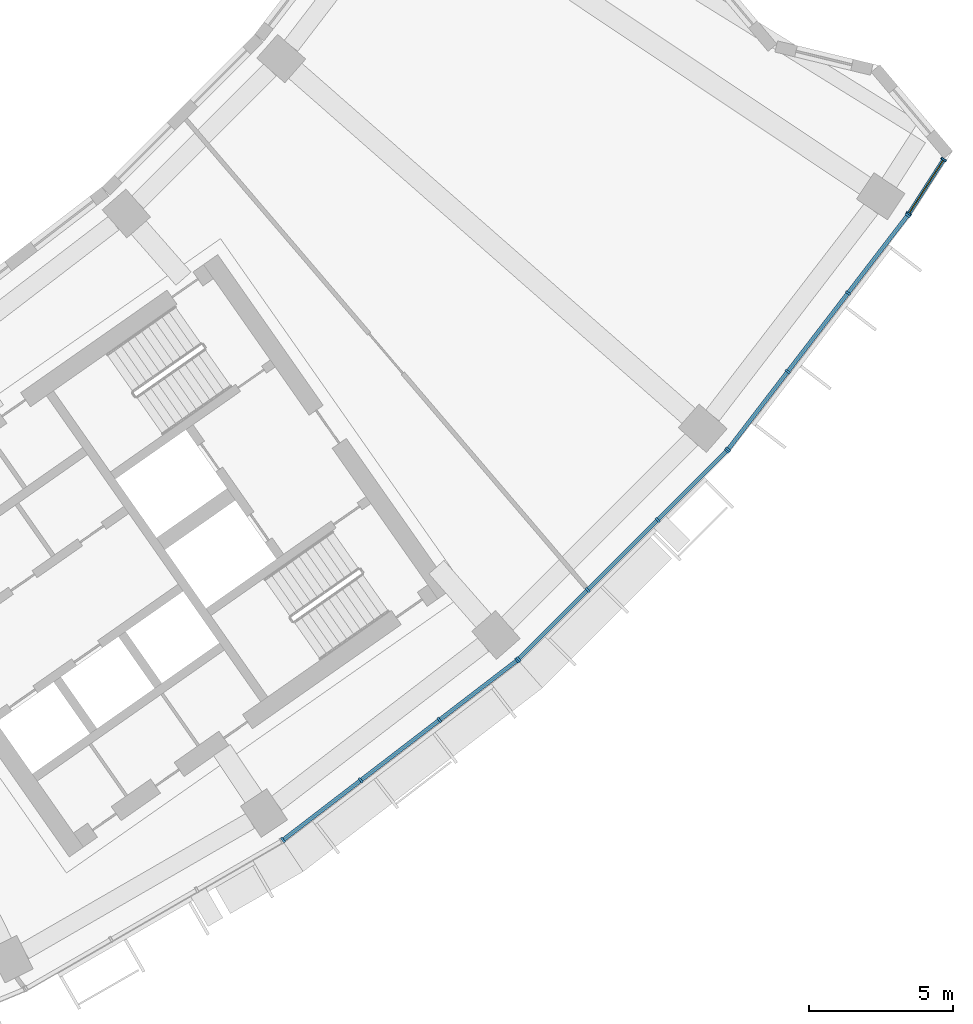
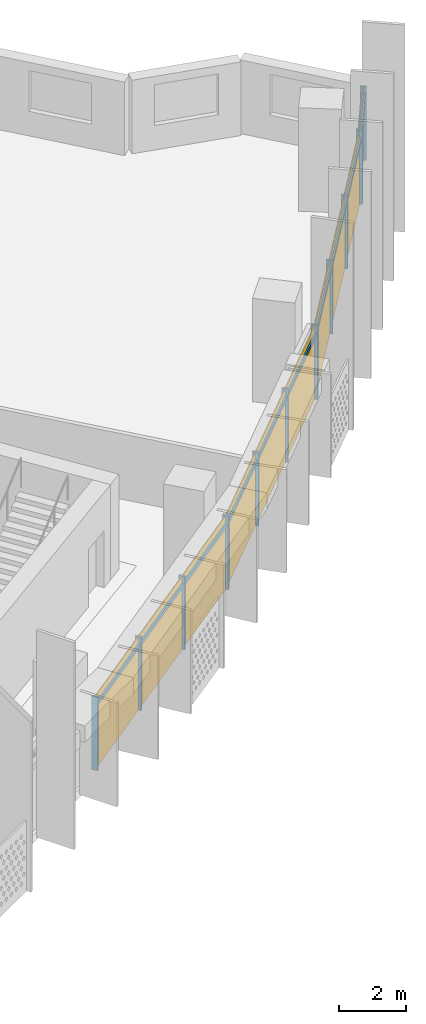
# One storey, part 20 of 27: 24 members, 4 curtain walls.
"""IFC4 building model written with IfcOpenShell, lengths in metres."""

from ifc_helpers import new_model, si_unit, direction, frame, origin, origin_2d, place, context, subcontext, project, spatial, rectangle, extrude, material, material_profile, profile_set, type_object, element, aggregate, save


model = new_model("IFC4")

# Units and contexts
model_context = context("Model", 3, precision=1e-05, world=origin(), true_north=direction((0.0, 1.0)))
body_context = subcontext(model_context, "Body", "Model", "MODEL_VIEW")
ifc_project = project(units=[si_unit("LENGTHUNIT", "METRE"), si_unit("AREAUNIT", "SQUARE_METRE"), si_unit("VOLUMEUNIT", "CUBIC_METRE"), si_unit("PLANEANGLEUNIT", "RADIAN"), si_unit("MASSUNIT", "GRAM", prefix="KILO")], contexts=[model_context])

# Member
ifc_material = material(Name="Aluminium 6063-T6 anodised", Category="aluminium")
ifc_material_profile_1 = material_profile(ifc_material, rectangle(XDim=0.199951171875, YDim=0.070068359375, at=origin_2d()))
ifc_profile_set_1 = profile_set([ifc_material_profile_1], Name="Aluminium 6063-T6 anodised")
member_type_1 = type_object("IfcMemberType", Name="Mullion 70 x 200 aluminium", PredefinedType="MULLION", material=ifc_profile_set_1)
site_placement = place(None, origin())
building_placement = place(site_placement, origin())
storey_placement = place(building_placement, frame((0.0, 0.0, 172.10009765625)))
member_1_placement = place(storey_placement, frame((43.85693359375, -65.58544921875, 0.0), z_axis=(0.0, 0.0, 1.0), x_axis=(-0.608761429009, 0.793353340291, 0.0)))
member_1 = element("IfcMember", 1, at=member_1_placement, type_object=member_type_1, Name="e-cw1-L40-out12/M00", PredefinedType="MULLION", context=body_context, shape_type="SweptSolid", body=[
    extrude(rectangle(XDim=0.199951171875, YDim=0.070068359375, at=origin_2d()), origin(), (0.0, 0.0, 1.0), 2.699951171875),
])

member_2_placement = place(storey_placement, frame((46.56201171875, -63.509765625, 0.0), z_axis=(0.0, 0.0, 1.0), x_axis=(-0.608761429009, 0.793353340291, 0.0)))
member_2 = element("IfcMember", 2, at=member_2_placement, type_object=member_type_1, Name="e-cw1-L40-out12/M01", PredefinedType="MULLION", context=body_context, shape_type="SweptSolid", body=[
    extrude(rectangle(XDim=0.199951171875, YDim=0.070068359375, at=origin_2d()), origin(), (0.0, 0.0, 1.0), 2.699951171875),
])

member_3_placement = place(storey_placement, frame((49.294677734375, -61.412841796875, 0.0), z_axis=(0.0, 0.0, 1.0), x_axis=(-0.608761429009, 0.793353340291, 0.0)))
member_3 = element("IfcMember", 3, at=member_3_placement, type_object=member_type_1, Name="e-cw1-L40-out12/M02", PredefinedType="MULLION", context=body_context, shape_type="SweptSolid", body=[
    extrude(rectangle(XDim=0.199951171875, YDim=0.070068359375, at=origin_2d()), origin(), (0.0, 0.0, 1.0), 2.699951171875),
])

member_4_placement = place(storey_placement, frame((51.999755859375, -59.33740234375, 0.0), z_axis=(0.0, 0.0, 1.0), x_axis=(-0.608761429009, 0.793353340291, 0.0)))
member_4 = element("IfcMember", 4, at=member_4_placement, type_object=member_type_1, Name="e-cw1-L40-out12/M03", PredefinedType="MULLION", context=body_context, shape_type="SweptSolid", body=[
    extrude(rectangle(XDim=0.199951171875, YDim=0.070068359375, at=origin_2d()), origin(), (0.0, 0.0, 1.0), 2.699951171875),
])

member_5_placement = place(storey_placement, frame((52.042236328125, -59.2998046875, 0.0), z_axis=(0.0, 0.0, 1.0), x_axis=(-0.707106781187, 0.707106781187, 0.0)))
member_5 = element("IfcMember", 5, at=member_5_placement, type_object=member_type_1, Name="e-cw1-L40-out13/M00", PredefinedType="MULLION", context=body_context, shape_type="SweptSolid", body=[
    extrude(rectangle(XDim=0.199951171875, YDim=0.070068359375, at=origin_2d()), origin(), (0.0, 0.0, 1.0), 2.699951171875),
])

member_6_placement = place(storey_placement, frame((54.453369140625, -56.888916015625, 0.0), z_axis=(0.0, 0.0, 1.0), x_axis=(-0.707106781187, 0.707106781187, 0.0)))
member_6 = element("IfcMember", 6, at=member_6_placement, type_object=member_type_1, Name="e-cw1-L40-out13/M01", PredefinedType="MULLION", context=body_context, shape_type="SweptSolid", body=[
    extrude(rectangle(XDim=0.199951171875, YDim=0.070068359375, at=origin_2d()), origin(), (0.0, 0.0, 1.0), 2.699951171875),
])

member_7_placement = place(storey_placement, frame((56.888916015625, -54.453369140625, 0.0), z_axis=(0.0, 0.0, 1.0), x_axis=(-0.707106781187, 0.707106781187, 0.0)))
member_7 = element("IfcMember", 7, at=member_7_placement, type_object=member_type_1, Name="e-cw1-L40-out13/M02", PredefinedType="MULLION", context=body_context, shape_type="SweptSolid", body=[
    extrude(rectangle(XDim=0.199951171875, YDim=0.070068359375, at=origin_2d()), origin(), (0.0, 0.0, 1.0), 2.699951171875),
])

member_8_placement = place(storey_placement, frame((59.2998046875, -52.042236328125, 0.0), z_axis=(0.0, 0.0, 1.0), x_axis=(-0.707106781187, 0.707106781187, 0.0)))
member_8 = element("IfcMember", 8, at=member_8_placement, type_object=member_type_1, Name="e-cw1-L40-out13/M03", PredefinedType="MULLION", context=body_context, shape_type="SweptSolid", body=[
    extrude(rectangle(XDim=0.199951171875, YDim=0.070068359375, at=origin_2d()), origin(), (0.0, 0.0, 1.0), 2.699951171875),
])

member_9_placement = place(storey_placement, frame((59.33740234375, -51.999755859375, 0.0), z_axis=(0.0, 0.0, 1.0), x_axis=(-0.793353340291, 0.608761429009, 0.0)))
member_9 = element("IfcMember", 9, at=member_9_placement, type_object=member_type_1, Name="e-cw1-L40-out14/M00", PredefinedType="MULLION", context=body_context, shape_type="SweptSolid", body=[
    extrude(rectangle(XDim=0.199951171875, YDim=0.070068359375, at=origin_2d()), origin(), (0.0, 0.0, 1.0), 2.699951171875),
])

member_10_placement = place(storey_placement, frame((61.412841796875, -49.294677734375, 0.0), z_axis=(0.0, 0.0, 1.0), x_axis=(-0.793353340291, 0.608761429009, 0.0)))
member_10 = element("IfcMember", 10, at=member_10_placement, type_object=member_type_1, Name="e-cw1-L40-out14/M01", PredefinedType="MULLION", context=body_context, shape_type="SweptSolid", body=[
    extrude(rectangle(XDim=0.199951171875, YDim=0.070068359375, at=origin_2d()), origin(), (0.0, 0.0, 1.0), 2.699951171875),
])

member_11_placement = place(storey_placement, frame((63.509765625, -46.56201171875, 0.0), z_axis=(0.0, 0.0, 1.0), x_axis=(-0.793353340291, 0.608761429009, 0.0)))
member_11 = element("IfcMember", 11, at=member_11_placement, type_object=member_type_1, Name="e-cw1-L40-out14/M02", PredefinedType="MULLION", context=body_context, shape_type="SweptSolid", body=[
    extrude(rectangle(XDim=0.199951171875, YDim=0.070068359375, at=origin_2d()), origin(), (0.0, 0.0, 1.0), 2.699951171875),
])

member_12_placement = place(storey_placement, frame((65.58544921875, -43.85693359375, 0.0), z_axis=(0.0, 0.0, 1.0), x_axis=(-0.793353340291, 0.608761429009, 0.0)))
member_12 = element("IfcMember", 12, at=member_12_placement, type_object=member_type_1, Name="e-cw1-L40-out14/M03", PredefinedType="MULLION", context=body_context, shape_type="SweptSolid", body=[
    extrude(rectangle(XDim=0.199951171875, YDim=0.070068359375, at=origin_2d()), origin(), (0.0, 0.0, 1.0), 2.699951171875),
])

member_13_placement = place(storey_placement, frame((65.620849609375, -43.806396484375, 0.0), z_axis=(0.0, 0.0, 1.0), x_axis=(-0.840842221196, 0.5412802962, 0.0)))
member_13 = element("IfcMember", 13, at=member_13_placement, type_object=member_type_1, Name="e-cw1-L40-out15/M00", PredefinedType="MULLION", context=body_context, shape_type="SweptSolid", body=[
    extrude(rectangle(XDim=0.199951171875, YDim=0.070068359375, at=origin_2d()), origin(), (0.0, 0.0, 1.0), 2.699951171875),
])

member_14_placement = place(storey_placement, frame((66.836181640625, -41.918701171875, 0.0), z_axis=(0.0, 0.0, 1.0), x_axis=(-0.840842221196, 0.5412802962, 0.0)))
member_14 = element("IfcMember", 14, at=member_14_placement, type_object=member_type_1, Name="e-cw1-L40-out15/M01", PredefinedType="MULLION", context=body_context, shape_type="SweptSolid", body=[
    extrude(rectangle(XDim=0.199951171875, YDim=0.070068359375, at=origin_2d()), origin(), (0.0, 0.0, 1.0), 2.699951171875),
])

ifc_material_profile_2 = material_profile(ifc_material, rectangle(XDim=0.139892578125, YDim=0.1201171875, at=origin_2d()))
ifc_profile_set_2 = profile_set([ifc_material_profile_2], Name="Aluminium 6063-T6 anodised")
member_type_2 = type_object("IfcMemberType", Name="Transom 120 x 140 aluminium", PredefinedType="USERDEFINED", material=ifc_profile_set_2)
member_15_placement = place(storey_placement, frame((43.884765625, -65.564208984375, 2.39990234375), z_axis=(0.793354486861, 0.608759934767, 0.0), x_axis=(-0.608759934767, 0.793354486861, 0.0)))
member_15 = element("IfcMember", 15, at=member_15_placement, type_object=member_type_2, Name="e-cw1-L40-out12/T00", ObjectType="TRANSOM", PredefinedType="USERDEFINED", context=body_context, shape_type="SweptSolid", body=[
    extrude(rectangle(XDim=0.139892578125, YDim=0.1201171875, at=origin_2d()), origin(), (0.0, 0.0, 1.0), 3.339599609375),
])

member_16_placement = place(storey_placement, frame((46.589599609375, -63.488525390625, 2.39990234375), z_axis=(0.793371081522, 0.608738307489, 0.0), x_axis=(-0.608738307489, 0.793371081522, 0.0)))
member_16 = element("IfcMember", 16, at=member_16_placement, type_object=member_type_2, Name="e-cw1-L40-out12/T01", ObjectType="TRANSOM", PredefinedType="USERDEFINED", context=body_context, shape_type="SweptSolid", body=[
    extrude(rectangle(XDim=0.139892578125, YDim=0.1201171875, at=origin_2d()), origin(), (0.0, 0.0, 1.0), 3.37451171875),
])

member_17_placement = place(storey_placement, frame((49.322509765625, -61.3916015625, 2.39990234375), z_axis=(0.793354486861, 0.608759934767, 0.0), x_axis=(-0.608759934767, 0.793354486861, 0.0)))
member_17 = element("IfcMember", 17, at=member_17_placement, type_object=member_type_2, Name="e-cw1-L40-out12/T02", ObjectType="TRANSOM", PredefinedType="USERDEFINED", context=body_context, shape_type="SweptSolid", body=[
    extrude(rectangle(XDim=0.139892578125, YDim=0.1201171875, at=origin_2d()), origin(), (0.0, 0.0, 1.0), 3.339599609375),
])

member_18_placement = place(storey_placement, frame((52.067138671875, -59.275146484375, 2.39990234375), z_axis=(0.707106781187, 0.707106781187, 0.0), x_axis=(-0.707106781187, 0.707106781187, 0.0)))
member_18 = element("IfcMember", 18, at=member_18_placement, type_object=member_type_2, Name="e-cw1-L40-out13/T00", ObjectType="TRANSOM", PredefinedType="USERDEFINED", context=body_context, shape_type="SweptSolid", body=[
    extrude(rectangle(XDim=0.139892578125, YDim=0.1201171875, at=origin_2d()), origin(), (0.0, 0.0, 1.0), 3.33935546875),
])

member_19_placement = place(storey_placement, frame((54.47802734375, -56.8642578125, 2.39990234375), z_axis=(0.707106781187, 0.707106781187, 0.0), x_axis=(-0.707106781187, 0.707106781187, 0.0)))
member_19 = element("IfcMember", 19, at=member_19_placement, type_object=member_type_2, Name="e-cw1-L40-out13/T01", ObjectType="TRANSOM", PredefinedType="USERDEFINED", context=body_context, shape_type="SweptSolid", body=[
    extrude(rectangle(XDim=0.139892578125, YDim=0.1201171875, at=origin_2d()), origin(), (0.0, 0.0, 1.0), 3.374755859375),
])

member_20_placement = place(storey_placement, frame((56.913818359375, -54.428466796875, 2.39990234375), z_axis=(0.707106781187, 0.707106781187, 0.0), x_axis=(-0.707106781187, 0.707106781187, 0.0)))
member_20 = element("IfcMember", 20, at=member_20_placement, type_object=member_type_2, Name="e-cw1-L40-out13/T02", ObjectType="TRANSOM", PredefinedType="USERDEFINED", context=body_context, shape_type="SweptSolid", body=[
    extrude(rectangle(XDim=0.139892578125, YDim=0.1201171875, at=origin_2d()), origin(), (0.0, 0.0, 1.0), 3.33935546875),
])

member_21_placement = place(storey_placement, frame((59.358642578125, -51.971923828125, 2.39990234375), z_axis=(0.608759934767, 0.793354486861, 0.0), x_axis=(-0.793354486861, 0.608759934767, 0.0)))
member_21 = element("IfcMember", 21, at=member_21_placement, type_object=member_type_2, Name="e-cw1-L40-out14/T00", ObjectType="TRANSOM", PredefinedType="USERDEFINED", context=body_context, shape_type="SweptSolid", body=[
    extrude(rectangle(XDim=0.139892578125, YDim=0.1201171875, at=origin_2d()), origin(), (0.0, 0.0, 1.0), 3.339599609375),
])

member_22_placement = place(storey_placement, frame((61.434326171875, -49.266845703125, 2.39990234375), z_axis=(0.608738307489, 0.793371081522, 0.0), x_axis=(-0.793371081522, 0.608738307489, 0.0)))
member_22 = element("IfcMember", 22, at=member_22_placement, type_object=member_type_2, Name="e-cw1-L40-out14/T01", ObjectType="TRANSOM", PredefinedType="USERDEFINED", context=body_context, shape_type="SweptSolid", body=[
    extrude(rectangle(XDim=0.139892578125, YDim=0.1201171875, at=origin_2d()), origin(), (0.0, 0.0, 1.0), 3.37451171875),
])

member_23_placement = place(storey_placement, frame((63.53125, -46.5341796875, 2.39990234375), z_axis=(0.608759934767, 0.793354486861, 0.0), x_axis=(-0.793354486861, 0.608759934767, 0.0)))
member_23 = element("IfcMember", 23, at=member_23_placement, type_object=member_type_2, Name="e-cw1-L40-out14/T02", ObjectType="TRANSOM", PredefinedType="USERDEFINED", context=body_context, shape_type="SweptSolid", body=[
    extrude(rectangle(XDim=0.139892578125, YDim=0.1201171875, at=origin_2d()), origin(), (0.0, 0.0, 1.0), 3.339599609375),
])

member_24_placement = place(storey_placement, frame((65.639892578125, -43.777099609375, 2.39990234375), z_axis=(0.541262409665, 0.840853735131, 0.0), x_axis=(-0.840853735131, 0.541262409665, 0.0)))
member_24 = element("IfcMember", 24, at=member_24_placement, type_object=member_type_2, Name="e-cw1-L40-out15/T00", ObjectType="TRANSOM", PredefinedType="USERDEFINED", context=body_context, shape_type="SweptSolid", body=[
    extrude(rectangle(XDim=0.139892578125, YDim=0.1201171875, at=origin_2d()), origin(), (0.0, 0.0, 1.0), 2.175048828125),
])

# Site, building, storey
site = spatial("IfcSite", under=ifc_project, at=site_placement, CompositionType="ELEMENT")
building = spatial("IfcBuilding", under=site, at=building_placement, Name="Qamariyya Broadcast Tower", CompositionType="ELEMENT")
storey = spatial("IfcBuildingStorey", under=building, at=storey_placement, Name="L40", CompositionType="ELEMENT", Elevation=172.10009765625)

# Curtain wall
curtain_wall_type = type_object("IfcCurtainWallType", Name="Unitised curtain wall, anodised aluminium", PredefinedType="NOTDEFINED", material=ifc_material)
curtain_wall_1_placement = place(storey_placement, origin())
curtain_wall_1 = element("IfcCurtainWall", 25, at=curtain_wall_1_placement, inside=storey, type_object=curtain_wall_type, Name="e-cw1-L40-out12", PredefinedType="NOTDEFINED", context=body_context, shape_type="SweptSolid", body=[
    extrude(rectangle(XDim=3.339599609375, YDim=0.031982421875, at=origin_2d()), frame((45.20947265625, -64.547607421875, 0.0), x_axis=(0.793351517557, 0.608763804434, 0.0)), (0.0, 0.0, 1.0), 2.340087890625),
    extrude(rectangle(XDim=3.339599609375, YDim=0.031982421875, at=origin_2d()), frame((45.20947265625, -64.547607421875, 2.4599609375), x_axis=(0.793351517557, 0.608763804434, 0.0)), (0.0, 0.0, 1.0), 0.239990234375),
    extrude(rectangle(XDim=3.37451171875, YDim=0.031982421875, at=origin_2d()), frame((47.92822265625, -62.46142578125, 0.0), x_axis=(0.793351517557, 0.608763804434, 0.0)), (0.0, 0.0, 1.0), 2.340087890625),
    extrude(rectangle(XDim=3.37451171875, YDim=0.031982421875, at=origin_2d()), frame((47.92822265625, -62.46142578125, 2.4599609375), x_axis=(0.793351517557, 0.608763804434, 0.0)), (0.0, 0.0, 1.0), 0.239990234375),
    extrude(rectangle(XDim=3.339599609375, YDim=0.031982421875, at=origin_2d()), frame((50.64697265625, -60.375, 0.0), x_axis=(0.793351517557, 0.608763804434, 0.0)), (0.0, 0.0, 1.0), 2.340087890625),
    extrude(rectangle(XDim=3.339599609375, YDim=0.031982421875, at=origin_2d()), frame((50.64697265625, -60.375, 2.4599609375), x_axis=(0.793351517557, 0.608763804434, 0.0)), (0.0, 0.0, 1.0), 0.239990234375),
])

aggregate(curtain_wall_1, [member_1, member_2, member_3, member_4, member_15, member_16, member_17])

curtain_wall_2_placement = place(storey_placement, origin())
curtain_wall_2 = element("IfcCurtainWall", 26, at=curtain_wall_2_placement, inside=storey, type_object=curtain_wall_type, Name="e-cw1-L40-out13", PredefinedType="NOTDEFINED", context=body_context, shape_type="SweptSolid", body=[
    extrude(rectangle(XDim=3.339599609375, YDim=0.031982421875, at=origin_2d()), frame((53.247802734375, -58.094482421875, 0.0), x_axis=(0.707106781187, 0.707106781187, 0.0)), (0.0, 0.0, 1.0), 2.340087890625),
    extrude(rectangle(XDim=3.339599609375, YDim=0.031982421875, at=origin_2d()), frame((53.247802734375, -58.094482421875, 2.4599609375), x_axis=(0.707106781187, 0.707106781187, 0.0)), (0.0, 0.0, 1.0), 0.239990234375),
    extrude(rectangle(XDim=3.37451171875, YDim=0.031982421875, at=origin_2d()), frame((55.671142578125, -55.671142578125, 0.0), x_axis=(0.707106781187, 0.707106781187, 0.0)), (0.0, 0.0, 1.0), 2.340087890625),
    extrude(rectangle(XDim=3.37451171875, YDim=0.031982421875, at=origin_2d()), frame((55.671142578125, -55.671142578125, 2.4599609375), x_axis=(0.707106781187, 0.707106781187, 0.0)), (0.0, 0.0, 1.0), 0.239990234375),
    extrude(rectangle(XDim=3.339599609375, YDim=0.031982421875, at=origin_2d()), frame((58.094482421875, -53.247802734375, 0.0), x_axis=(0.707106781187, 0.707106781187, 0.0)), (0.0, 0.0, 1.0), 2.340087890625),
    extrude(rectangle(XDim=3.339599609375, YDim=0.031982421875, at=origin_2d()), frame((58.094482421875, -53.247802734375, 2.4599609375), x_axis=(0.707106781187, 0.707106781187, 0.0)), (0.0, 0.0, 1.0), 0.239990234375),
])

aggregate(curtain_wall_2, [member_5, member_6, member_7, member_8, member_18, member_19, member_20])

curtain_wall_3_placement = place(storey_placement, origin())
curtain_wall_3 = element("IfcCurtainWall", 27, at=curtain_wall_3_placement, inside=storey, type_object=curtain_wall_type, Name="e-cw1-L40-out14", PredefinedType="NOTDEFINED", context=body_context, shape_type="SweptSolid", body=[
    extrude(rectangle(XDim=3.339599609375, YDim=0.031982421875, at=origin_2d()), frame((60.375, -50.64697265625, 0.0), x_axis=(0.608763804434, 0.793351517557, 0.0)), (0.0, 0.0, 1.0), 2.340087890625),
    extrude(rectangle(XDim=3.339599609375, YDim=0.031982421875, at=origin_2d()), frame((60.375, -50.64697265625, 2.4599609375), x_axis=(0.608763804434, 0.793351517557, 0.0)), (0.0, 0.0, 1.0), 0.239990234375),
    extrude(rectangle(XDim=3.37451171875, YDim=0.031982421875, at=origin_2d()), frame((62.46142578125, -47.92822265625, 0.0), x_axis=(0.608763804434, 0.793351517557, 0.0)), (0.0, 0.0, 1.0), 2.340087890625),
    extrude(rectangle(XDim=3.37451171875, YDim=0.031982421875, at=origin_2d()), frame((62.46142578125, -47.92822265625, 2.4599609375), x_axis=(0.608763804434, 0.793351517557, 0.0)), (0.0, 0.0, 1.0), 0.239990234375),
    extrude(rectangle(XDim=3.339599609375, YDim=0.031982421875, at=origin_2d()), frame((64.547607421875, -45.20947265625, 0.0), x_axis=(0.608763804434, 0.793351517557, 0.0)), (0.0, 0.0, 1.0), 2.340087890625),
    extrude(rectangle(XDim=3.339599609375, YDim=0.031982421875, at=origin_2d()), frame((64.547607421875, -45.20947265625, 2.4599609375), x_axis=(0.608763804434, 0.793351517557, 0.0)), (0.0, 0.0, 1.0), 0.239990234375),
])

aggregate(curtain_wall_3, [member_9, member_10, member_11, member_12, member_21, member_22, member_23])

curtain_wall_4_placement = place(storey_placement, origin())
curtain_wall_4 = element("IfcCurtainWall", 28, at=curtain_wall_4_placement, inside=storey, type_object=curtain_wall_type, Name="e-cw1-L40-out15", PredefinedType="NOTDEFINED", context=body_context, shape_type="SweptSolid", body=[
    extrude(rectangle(XDim=2.1748046875, YDim=0.031982421875, at=origin_2d()), frame((66.228515625, -42.86279296875, 0.0), x_axis=(0.541242560837, 0.840866511605, 0.0)), (0.0, 0.0, 1.0), 2.340087890625),
    extrude(rectangle(XDim=2.1748046875, YDim=0.031982421875, at=origin_2d()), frame((66.228515625, -42.86279296875, 2.4599609375), x_axis=(0.541242560837, 0.840866511605, 0.0)), (0.0, 0.0, 1.0), 0.239990234375),
])

aggregate(curtain_wall_4, [member_13, member_14, member_24])

save(model, "model.ifc")
